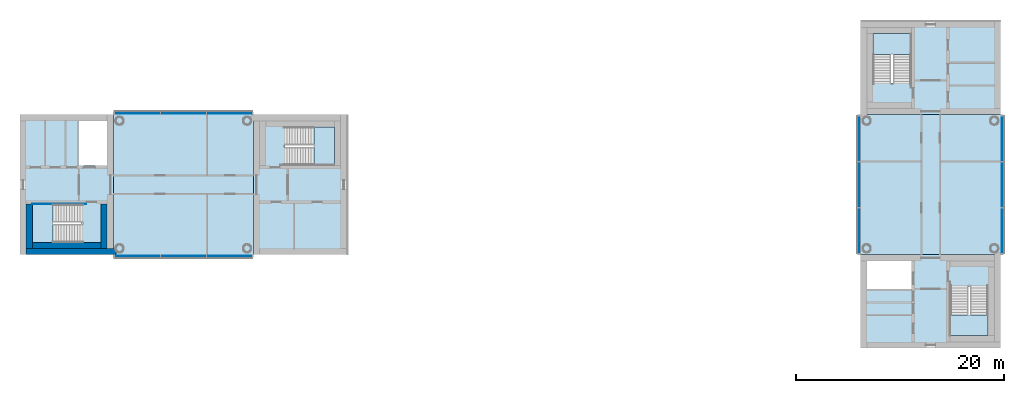
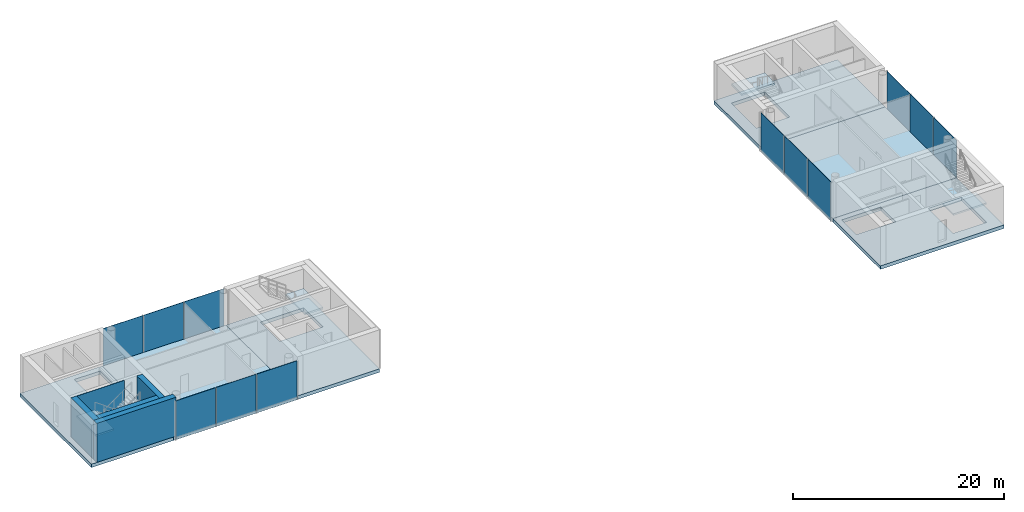
# One storey, part 4 of 12: 12 plates, 10 slabs, 5 walls, 8 elements without a shape of their own.
"""IFC4 building model written with IfcOpenShell, lengths in metres."""

from ifc_helpers import new_model, si_unit, direction, frame, frame_2d, origin, origin_2d, place, context, subcontext, project, spatial, polyline, rectangle, outline, extrude, material, layer, layer_set, type_object, element, aggregate, save


model = new_model("IFC4")

# Units and contexts
model_context = context("Model", 3, precision=1e-05, world=origin(), true_north=direction((0.0, 1.0)))
body_context = subcontext(model_context, "Body", "Model", "MODEL_VIEW")
ifc_project = project(units=[si_unit("LENGTHUNIT", "METRE"), si_unit("AREAUNIT", "SQUARE_METRE"), si_unit("VOLUMEUNIT", "CUBIC_METRE"), si_unit("PLANEANGLEUNIT", "RADIAN"), si_unit("MASSUNIT", "GRAM", prefix="KILO")], contexts=[model_context])

# Site, building, storey
site_placement = place(None, origin())
site = spatial("IfcSite", under=ifc_project, at=site_placement, CompositionType="ELEMENT")
building_placement = place(site_placement, origin())
building = spatial("IfcBuilding", under=site, at=building_placement, Name="Ipe Terrace Towers", CompositionType="ELEMENT")
storey_placement = place(building_placement, frame((0.0, 0.0, 260.39990234375)))
storey = spatial("IfcBuildingStorey", under=building, at=storey_placement, Name="L71", CompositionType="ELEMENT", Elevation=260.39990234375)

# Slabs
ifc_material_1 = material(Name="Concrete C30/37", Category="concrete")
ifc_layer_1 = layer(ifc_material_1, 0.39990234375)
ifc_layer_set_1 = layer_set([ifc_layer_1], Name="CORE FLOOR SLAB 400 C30-37")
slab_type_1 = type_object("IfcSlabType", Name="CORE FLOOR SLAB 400 C30-37", PredefinedType="FLOOR", material=ifc_layer_set_1)
slab_1_placement = place(storey_placement, frame((0.0, 0.0, -0.39990234375)))
element("IfcSlab", 1, at=slab_1_placement, inside=storey, type_object=slab_type_1, Name="Core floor T1-C1", PredefinedType="FLOOR", context=body_context, shape_type="SweptSolid", body=[
    extrude(outline(polyline([(-29.25, -6.75), (-29.25, 6.75), (-20.25, 6.75), (-20.25, -6.75), (-29.25, -6.75)]), holes=[polyline([(-21.449951171875, 1.89990234375), (-21.449951171875, 5.550048828125), (-26.199951171875, 5.550048828125), (-26.199951171875, 1.89990234375), (-21.449951171875, 1.89990234375)])]), origin(), (0.0, 0.0, 1.0), 0.39990234375),
])
slab_2_placement = place(storey_placement, frame((0.0, 0.0, -0.39990234375)))
element("IfcSlab", 2, at=slab_2_placement, inside=storey, type_object=slab_type_1, Name="Core floor T1-C2", PredefinedType="FLOOR", context=body_context, shape_type="SweptSolid", body=[
    extrude(outline(polyline([(-51.75, -6.75), (-51.75, 6.75), (-42.75, 6.75), (-42.75, -6.75), (-51.75, -6.75)]), holes=[polyline([(-45.800048828125, -1.89990234375), (-50.550048828125, -1.89990234375), (-50.550048828125, -5.550048828125), (-45.800048828125, -5.550048828125), (-45.800048828125, -1.89990234375)]), polyline([(-43.35009765625, 6.14990234375), (-46.14990234375, 6.14990234375), (-46.14990234375, 1.85009765625), (-43.35009765625, 1.85009765625), (-43.35009765625, 6.14990234375)])]), origin(), (0.0, 0.0, 1.0), 0.39990234375),
])
slab_3_placement = place(storey_placement, frame((0.0, 0.0, -0.39990234375)))
element("IfcSlab", 3, at=slab_3_placement, inside=storey, type_object=slab_type_1, Name="Core floor T2-C1", PredefinedType="FLOOR", context=body_context, shape_type="SweptSolid", body=[
    extrude(outline(polyline([(29.25, 6.75), (29.25, 15.75), (42.75, 15.75), (42.75, 6.75), (29.25, 6.75)]), holes=[polyline([(34.10009765625, 14.550048828125), (30.449951171875, 14.550048828125), (30.449951171875, 9.800048828125), (34.10009765625, 9.800048828125), (34.10009765625, 14.550048828125)])]), origin(), (0.0, 0.0, 1.0), 0.39990234375),
])
slab_4_placement = place(storey_placement, frame((0.0, 0.0, -0.39990234375)))
element("IfcSlab", 4, at=slab_4_placement, inside=storey, type_object=slab_type_1, Name="Core floor T2-C2", PredefinedType="FLOOR", context=body_context, shape_type="SweptSolid", body=[
    extrude(outline(polyline([(29.25, -15.75), (29.25, -6.75), (42.75, -6.75), (42.75, -15.75), (29.25, -15.75)]), holes=[polyline([(37.89990234375, -9.800048828125), (37.89990234375, -14.550048828125), (41.550048828125, -14.550048828125), (41.550048828125, -9.800048828125), (37.89990234375, -9.800048828125)]), polyline([(29.85009765625, -7.35009765625), (29.85009765625, -10.14990234375), (34.14990234375, -10.14990234375), (34.14990234375, -7.35009765625), (29.85009765625, -7.35009765625)])]), origin(), (0.0, 0.0, 1.0), 0.39990234375),
])

# Stair, slab
ifc_material_2 = material(Name="Concrete C30/37", Category="concrete")
stair_type = type_object("IfcStairType", Name="Protected exit stair", PredefinedType="HALF_TURN_STAIR", material=ifc_material_2)
stair_1_placement = place(storey_placement, origin())
stair_1 = element("IfcStair", 5, at=stair_1_placement, inside=storey, type_object=stair_type, Name="L71 Exit stair T1-C1", PredefinedType="HALF_TURN_STAIR")
ifc_material_3 = material(Name="Concrete C30/37", Category="concrete")
ifc_layer_2 = layer(ifc_material_3, 0.199951171875)
ifc_layer_set_2 = layer_set([ifc_layer_2], Name="Exit stair landing 200")
slab_type_2 = type_object("IfcSlabType", Name="Exit stair landing 200", PredefinedType="LANDING", material=ifc_layer_set_2)
slab_5_placement = place(storey_placement, frame((0.0, 0.0, 2.050048828125)))
slab_5 = element("IfcSlab", 6, at=slab_5_placement, type_object=slab_type_2, Name="T1-ST1 landing 1", PredefinedType="LANDING", context=body_context, shape_type="SweptSolid", body=[
    extrude(outline(polyline([(-23.43994140625, 1.89990234375), (-21.449951171875, 1.89990234375), (-21.449951171875, 5.550048828125), (-23.43994140625, 5.550048828125), (-23.43994140625, 1.89990234375)])), origin(), (0.0, 0.0, 1.0), 0.199951171875),
])
aggregate(stair_1, [slab_5])

stair_2_placement = place(storey_placement, origin())
stair_2 = element("IfcStair", 7, at=stair_2_placement, inside=storey, type_object=stair_type, Name="L71 Exit stair T1-C2", PredefinedType="HALF_TURN_STAIR")
slab_6_placement = place(storey_placement, frame((0.0, 0.0, 2.050048828125)))
slab_6 = element("IfcSlab", 8, at=slab_6_placement, type_object=slab_type_2, Name="T1-ST2 landing 1", PredefinedType="LANDING", context=body_context, shape_type="SweptSolid", body=[
    extrude(outline(polyline([(-48.56005859375, -1.89990234375), (-50.550048828125, -1.89990234375), (-50.550048828125, -5.550048828125), (-48.56005859375, -5.550048828125), (-48.56005859375, -1.89990234375)])), origin(), (0.0, 0.0, 1.0), 0.199951171875),
])
aggregate(stair_2, [slab_6])

stair_3_placement = place(storey_placement, origin())
stair_3 = element("IfcStair", 9, at=stair_3_placement, inside=storey, type_object=stair_type, Name="L71 Exit stair T2-C1", PredefinedType="HALF_TURN_STAIR")
slab_7_placement = place(storey_placement, frame((0.0, 0.0, 2.050048828125)))
slab_7 = element("IfcSlab", 10, at=slab_7_placement, type_object=slab_type_2, Name="T2-ST1 landing 1", PredefinedType="LANDING", context=body_context, shape_type="SweptSolid", body=[
    extrude(outline(polyline([(34.10009765625, 12.56005859375), (34.10009765625, 14.550048828125), (30.449951171875, 14.550048828125), (30.449951171875, 12.56005859375), (34.10009765625, 12.56005859375)])), origin(), (0.0, 0.0, 1.0), 0.199951171875),
])
aggregate(stair_3, [slab_7])

stair_4_placement = place(storey_placement, origin())
stair_4 = element("IfcStair", 11, at=stair_4_placement, inside=storey, type_object=stair_type, Name="L71 Exit stair T2-C2", PredefinedType="HALF_TURN_STAIR")
slab_8_placement = place(storey_placement, frame((0.0, 0.0, 2.050048828125)))
slab_8 = element("IfcSlab", 12, at=slab_8_placement, type_object=slab_type_2, Name="T2-ST2 landing 1", PredefinedType="LANDING", context=body_context, shape_type="SweptSolid", body=[
    extrude(outline(polyline([(37.89990234375, -12.56005859375), (37.89990234375, -14.550048828125), (41.550048828125, -14.550048828125), (41.550048828125, -12.56005859375), (37.89990234375, -12.56005859375)])), origin(), (0.0, 0.0, 1.0), 0.199951171875),
])
aggregate(stair_4, [slab_8])

# Slabs
ifc_material_4 = material(Name="Concrete C40/50", Category="concrete")
ifc_layer_3 = layer(ifc_material_4, 0.39990234375)
ifc_layer_set_3 = layer_set([ifc_layer_3], Name="FLAT PLATE SLAB 400 C40-50")
slab_type_3 = type_object("IfcSlabType", Name="FLAT PLATE SLAB 400 C40-50", PredefinedType="FLOOR", material=ifc_layer_set_3)
slab_9_placement = place(storey_placement, frame((0.0, 0.0, -0.39990234375)))
element("IfcSlab", 13, at=slab_9_placement, inside=storey, type_object=slab_type_3, Name="Slab T1-FS-Z41", PredefinedType="FLOOR", context=body_context, shape_type="SweptSolid", body=[
    extrude(outline(polyline([(-29.25, 6.75), (-29.25, -6.75), (-42.75, -6.75), (-42.75, 6.75), (-29.25, 6.75)])), origin(), (0.0, 0.0, 1.0), 0.39990234375),
])
slab_10_placement = place(storey_placement, frame((0.0, 0.0, -0.39990234375)))
element("IfcSlab", 14, at=slab_10_placement, inside=storey, type_object=slab_type_3, Name="Slab T2-FS-Z41", PredefinedType="FLOOR", context=body_context, shape_type="SweptSolid", body=[
    extrude(outline(polyline([(29.25, 6.75), (42.75, 6.75), (42.75, -6.75), (29.25, -6.75), (29.25, 6.75)])), origin(), (0.0, 0.0, 1.0), 0.39990234375),
])

# Curtain wall, plates
ifc_material_5 = material(Name="Aluminium alloy 6063-T6", Category="aluminium")
ifc_layer_4 = layer(ifc_material_5, 0.320068359375)
ifc_layer_set_4 = layer_set([ifc_layer_4], Name="LANTERN CURTAIN WALL")
curtain_wall_type = type_object("IfcCurtainWallType", Name="LANTERN CURTAIN WALL", PredefinedType="NOTDEFINED", material=ifc_layer_set_4)
curtain_wall_1_placement = place(storey_placement, origin())
curtain_wall_1 = element("IfcCurtainWall", 15, at=curtain_wall_1_placement, inside=storey, type_object=curtain_wall_type, Name="T1-CW-L71-00b curtain wall", PredefinedType="NOTDEFINED")
ifc_material_6 = material(Name="Glass, clear laminated", Category="glass")
ifc_layer_5 = layer(ifc_material_6, 0.0400390625)
ifc_layer_set_5 = layer_set([ifc_layer_5], Name="LANTERN GLASS PANEL 40")
plate_type = type_object("IfcPlateType", Name="LANTERN GLASS PANEL 40", PredefinedType="CURTAIN_PANEL", material=ifc_layer_set_5)
plate_1_placement = place(storey_placement, frame((-40.4326171875, -6.875, -0.2998046875), z_axis=(0.0, 0.0, 1.0), x_axis=(1.0, 0.0, 0.0)))
plate_1 = element("IfcPlate", 16, at=plate_1_placement, type_object=plate_type, Name="T1-CW-L71-00b panel 1", PredefinedType="CURTAIN_PANEL", context=body_context, shape_type="SweptSolid", body=[
    extrude(rectangle(XDim=4.352783203125, YDim=0.0400390625, at=origin_2d()), origin(), (0.0, 0.0, 1.0), 4.5),
])
plate_2_placement = place(storey_placement, frame((-36.0, -6.875, -0.2998046875), z_axis=(0.0, 0.0, 1.0), x_axis=(1.0, 0.0, 0.0)))
plate_2 = element("IfcPlate", 17, at=plate_2_placement, type_object=plate_type, Name="T1-CW-L71-00b panel 2", PredefinedType="CURTAIN_PANEL", context=body_context, shape_type="SweptSolid", body=[
    extrude(rectangle(XDim=4.352783203125, YDim=0.0400390625, at=origin_2d()), origin(), (0.0, 0.0, 1.0), 4.5),
])
plate_3_placement = place(storey_placement, frame((-31.5673828125, -6.875, -0.2998046875), z_axis=(0.0, 0.0, 1.0), x_axis=(1.0, 0.0, 0.0)))
plate_3 = element("IfcPlate", 18, at=plate_3_placement, type_object=plate_type, Name="T1-CW-L71-00b panel 3", PredefinedType="CURTAIN_PANEL", context=body_context, shape_type="SweptSolid", body=[
    extrude(rectangle(XDim=4.352783203125, YDim=0.0400390625, at=origin_2d()), origin(), (0.0, 0.0, 1.0), 4.5),
])
aggregate(curtain_wall_1, [plate_1, plate_2, plate_3])

curtain_wall_2_placement = place(storey_placement, origin())
curtain_wall_2 = element("IfcCurtainWall", 19, at=curtain_wall_2_placement, inside=storey, type_object=curtain_wall_type, Name="T1-CW-L71-02b curtain wall", PredefinedType="NOTDEFINED")
plate_4_placement = place(storey_placement, frame((-31.5673828125, 6.875, -0.2998046875), z_axis=(0.0, 0.0, 1.0), x_axis=(-1.0, 0.0, 0.0)))
plate_4 = element("IfcPlate", 20, at=plate_4_placement, type_object=plate_type, Name="T1-CW-L71-02b panel 1", PredefinedType="CURTAIN_PANEL", context=body_context, shape_type="SweptSolid", body=[
    extrude(rectangle(XDim=4.352783203125, YDim=0.0400390625, at=origin_2d()), origin(), (0.0, 0.0, 1.0), 4.5),
])
plate_5_placement = place(storey_placement, frame((-36.0, 6.875, -0.2998046875), z_axis=(0.0, 0.0, 1.0), x_axis=(-1.0, 0.0, 0.0)))
plate_5 = element("IfcPlate", 21, at=plate_5_placement, type_object=plate_type, Name="T1-CW-L71-02b panel 2", PredefinedType="CURTAIN_PANEL", context=body_context, shape_type="SweptSolid", body=[
    extrude(rectangle(XDim=4.352783203125, YDim=0.0400390625, at=origin_2d()), origin(), (0.0, 0.0, 1.0), 4.5),
])
plate_6_placement = place(storey_placement, frame((-40.4326171875, 6.875, -0.2998046875), z_axis=(0.0, 0.0, 1.0), x_axis=(-1.0, 0.0, 0.0)))
plate_6 = element("IfcPlate", 22, at=plate_6_placement, type_object=plate_type, Name="T1-CW-L71-02b panel 3", PredefinedType="CURTAIN_PANEL", context=body_context, shape_type="SweptSolid", body=[
    extrude(rectangle(XDim=4.352783203125, YDim=0.0400390625, at=origin_2d()), origin(), (0.0, 0.0, 1.0), 4.5),
])
aggregate(curtain_wall_2, [plate_4, plate_5, plate_6])

curtain_wall_3_placement = place(storey_placement, origin())
curtain_wall_3 = element("IfcCurtainWall", 23, at=curtain_wall_3_placement, inside=storey, type_object=curtain_wall_type, Name="T2-CW-L71-00b curtain wall", PredefinedType="NOTDEFINED")
plate_7_placement = place(storey_placement, frame((42.875, -4.4326171875, -0.2998046875), z_axis=(0.0, 0.0, 1.0), x_axis=(0.0, 1.0, 0.0)))
plate_7 = element("IfcPlate", 24, at=plate_7_placement, type_object=plate_type, Name="T2-CW-L71-00b panel 1", PredefinedType="CURTAIN_PANEL", context=body_context, shape_type="SweptSolid", body=[
    extrude(rectangle(XDim=4.352783203125, YDim=0.0400390625, at=origin_2d()), origin(), (0.0, 0.0, 1.0), 4.5),
])
plate_8_placement = place(storey_placement, frame((42.875, 0.0, -0.2998046875), z_axis=(0.0, 0.0, 1.0), x_axis=(0.0, 1.0, 0.0)))
plate_8 = element("IfcPlate", 25, at=plate_8_placement, type_object=plate_type, Name="T2-CW-L71-00b panel 2", PredefinedType="CURTAIN_PANEL", context=body_context, shape_type="SweptSolid", body=[
    extrude(rectangle(XDim=4.352783203125, YDim=0.0400390625, at=origin_2d()), origin(), (0.0, 0.0, 1.0), 4.5),
])
plate_9_placement = place(storey_placement, frame((42.875, 4.4326171875, -0.2998046875), z_axis=(0.0, 0.0, 1.0), x_axis=(0.0, 1.0, 0.0)))
plate_9 = element("IfcPlate", 26, at=plate_9_placement, type_object=plate_type, Name="T2-CW-L71-00b panel 3", PredefinedType="CURTAIN_PANEL", context=body_context, shape_type="SweptSolid", body=[
    extrude(rectangle(XDim=4.352783203125, YDim=0.0400390625, at=origin_2d()), origin(), (0.0, 0.0, 1.0), 4.5),
])
aggregate(curtain_wall_3, [plate_7, plate_8, plate_9])

curtain_wall_4_placement = place(storey_placement, origin())
curtain_wall_4 = element("IfcCurtainWall", 27, at=curtain_wall_4_placement, inside=storey, type_object=curtain_wall_type, Name="T2-CW-L71-02b curtain wall", PredefinedType="NOTDEFINED")
plate_10_placement = place(storey_placement, frame((29.125, 4.4326171875, -0.2998046875), z_axis=(0.0, 0.0, 1.0), x_axis=(0.0, -1.0, 0.0)))
plate_10 = element("IfcPlate", 28, at=plate_10_placement, type_object=plate_type, Name="T2-CW-L71-02b panel 1", PredefinedType="CURTAIN_PANEL", context=body_context, shape_type="SweptSolid", body=[
    extrude(rectangle(XDim=4.352783203125, YDim=0.0400390625, at=origin_2d()), origin(), (0.0, 0.0, 1.0), 4.5),
])
plate_11_placement = place(storey_placement, frame((29.125, 0.0, -0.2998046875), z_axis=(0.0, 0.0, 1.0), x_axis=(0.0, -1.0, 0.0)))
plate_11 = element("IfcPlate", 29, at=plate_11_placement, type_object=plate_type, Name="T2-CW-L71-02b panel 2", PredefinedType="CURTAIN_PANEL", context=body_context, shape_type="SweptSolid", body=[
    extrude(rectangle(XDim=4.352783203125, YDim=0.0400390625, at=origin_2d()), origin(), (0.0, 0.0, 1.0), 4.5),
])
plate_12_placement = place(storey_placement, frame((29.125, -4.4326171875, -0.2998046875), z_axis=(0.0, 0.0, 1.0), x_axis=(0.0, -1.0, 0.0)))
plate_12 = element("IfcPlate", 30, at=plate_12_placement, type_object=plate_type, Name="T2-CW-L71-02b panel 3", PredefinedType="CURTAIN_PANEL", context=body_context, shape_type="SweptSolid", body=[
    extrude(rectangle(XDim=4.352783203125, YDim=0.0400390625, at=origin_2d()), origin(), (0.0, 0.0, 1.0), 4.5),
])
aggregate(curtain_wall_4, [plate_10, plate_11, plate_12])

# Walls
ifc_material_7 = material(Name="Concrete C40/50", Category="concrete")
ifc_layer_6 = layer(ifc_material_7, 0.050048828125)
ifc_layer_set_6 = layer_set([ifc_layer_6], Name="RW50 CORE INFILL WALL 50 C40-50")
wall_type_1 = type_object("IfcWallType", Name="RW50 CORE INFILL WALL 50 C40-50", PredefinedType="SHEAR", material=ifc_layer_set_6)
wall_1_placement = place(storey_placement, frame((-45.35009765625, -1.875, 0.0), z_axis=(0.0, 0.0, 1.0), x_axis=(-1.0, 0.0, 0.0)))
element("IfcWall", 31, at=wall_1_placement, inside=storey, type_object=wall_type_1, Name="Core infill wall T1-C2-spine-b", PredefinedType="SHEAR", context=body_context, shape_type="SweptSolid", body=[
    extrude(rectangle(XDim=5.199951171875, YDim=0.050048828125, at=frame_2d((2.60009765625, 0.0))), origin(), (0.0, 0.0, 1.0), 4.5),
])
ifc_material_8 = material(Name="Concrete C40/50", Category="concrete")
ifc_layer_7 = layer(ifc_material_8, 0.60009765625)
ifc_layer_set_7 = layer_set([ifc_layer_7], Name="RW600 CORE INFILL WALL 600 C40-50")
wall_type_2 = type_object("IfcWallType", Name="RW600 CORE INFILL WALL 600 C40-50", PredefinedType="SHEAR", material=ifc_layer_set_7)
wall_2_placement = place(storey_placement, frame((-50.85009765625, -1.85009765625, 0.0), z_axis=(0.0, 0.0, 1.0), x_axis=(0.0, -1.0, 0.0)))
element("IfcWall", 32, at=wall_2_placement, inside=storey, type_object=wall_type_2, Name="Core infill wall T1-C2-far", PredefinedType="SHEAR", context=body_context, shape_type="SweptSolid", body=[
    extrude(rectangle(XDim=4.2998046875, YDim=0.60009765625, at=frame_2d((2.14990234375, 0.0))), origin(), (0.0, 0.0, 1.0), 4.5),
])
wall_3_placement = place(storey_placement, frame((-43.949951171875, -5.85009765625, 0.0), z_axis=(0.0, 0.0, 1.0), x_axis=(-1.0, 0.0, 0.0)))
element("IfcWall", 33, at=wall_3_placement, inside=storey, type_object=wall_type_2, Name="Core infill wall T1-C2-back", PredefinedType="SHEAR", context=body_context, shape_type="SweptSolid", body=[
    extrude(rectangle(XDim=6.60009765625, YDim=0.60009765625, at=frame_2d((3.300048828125, 0.0))), origin(), (0.0, 0.0, 1.0), 4.5),
])
wall_4_placement = place(storey_placement, frame((-43.64990234375, -1.85009765625, 0.0), z_axis=(0.0, 0.0, 1.0), x_axis=(0.0, -1.0, 0.0)))
element("IfcWall", 34, at=wall_4_placement, inside=storey, type_object=wall_type_2, Name="Core infill wall T1-C2-near", PredefinedType="SHEAR", context=body_context, shape_type="SweptSolid", body=[
    extrude(rectangle(XDim=4.2998046875, YDim=0.60009765625, at=frame_2d((2.14990234375, 0.0))), origin(), (0.0, 0.0, 1.0), 4.5),
])
ifc_material_9 = material(Name="Concrete C40/50", Category="concrete")
ifc_layer_8 = layer(ifc_material_9, 0.60009765625)
ifc_layer_set_8 = layer_set([ifc_layer_8], Name="RW600 CORE WALL 600 C40-50")
wall_type_3 = type_object("IfcWallType", Name="RW600 CORE WALL 600 C40-50", PredefinedType="SHEAR", material=ifc_layer_set_8)
wall_5_placement = place(storey_placement, frame((-51.14990234375, -6.449951171875, 0.0), z_axis=(0.0, 0.0, 1.0), x_axis=(1.0, 0.0, 0.0)))
element("IfcWall", 35, at=wall_5_placement, inside=storey, type_object=wall_type_3, Name="Core wall T1-C2-Z4-W01", PredefinedType="SHEAR", context=body_context, shape_type="SweptSolid", body=[
    extrude(rectangle(XDim=8.64794921875, YDim=0.60009765625, at=frame_2d((4.323974609375, 0.0))), origin(), (0.0, 0.0, 1.0), 4.5),
])

save(model, "model.ifc")
